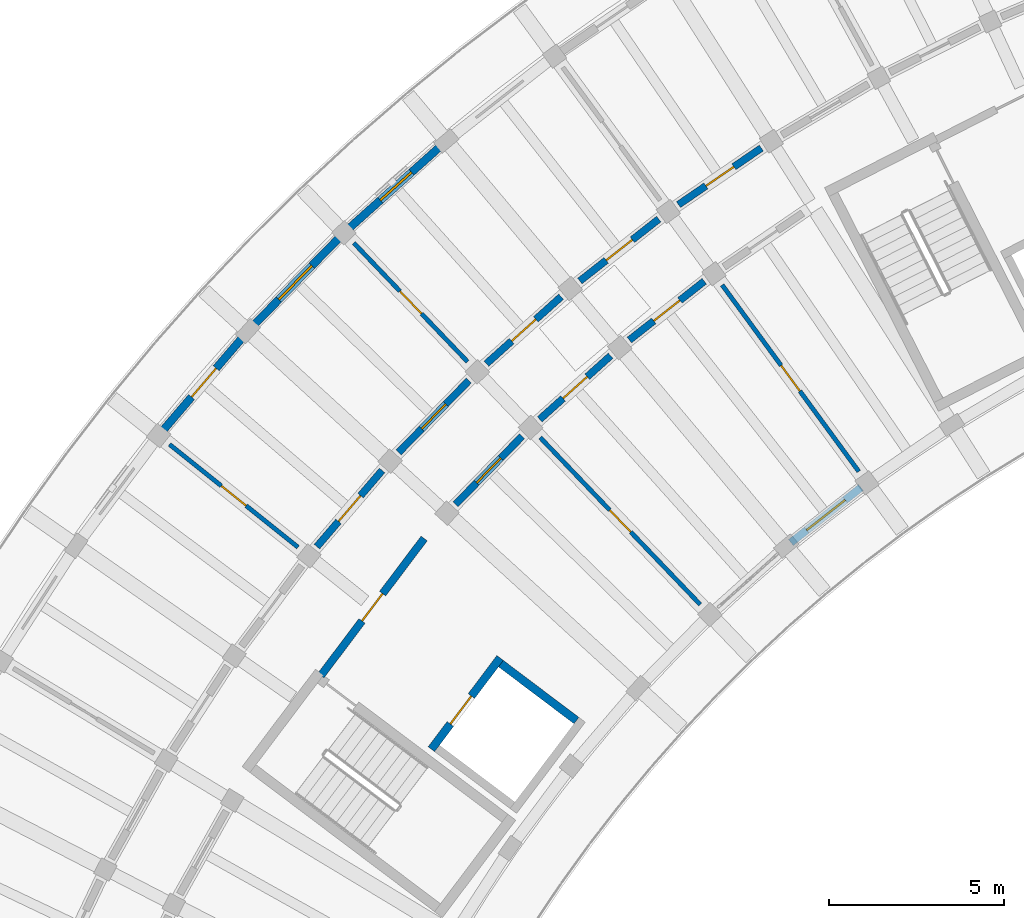
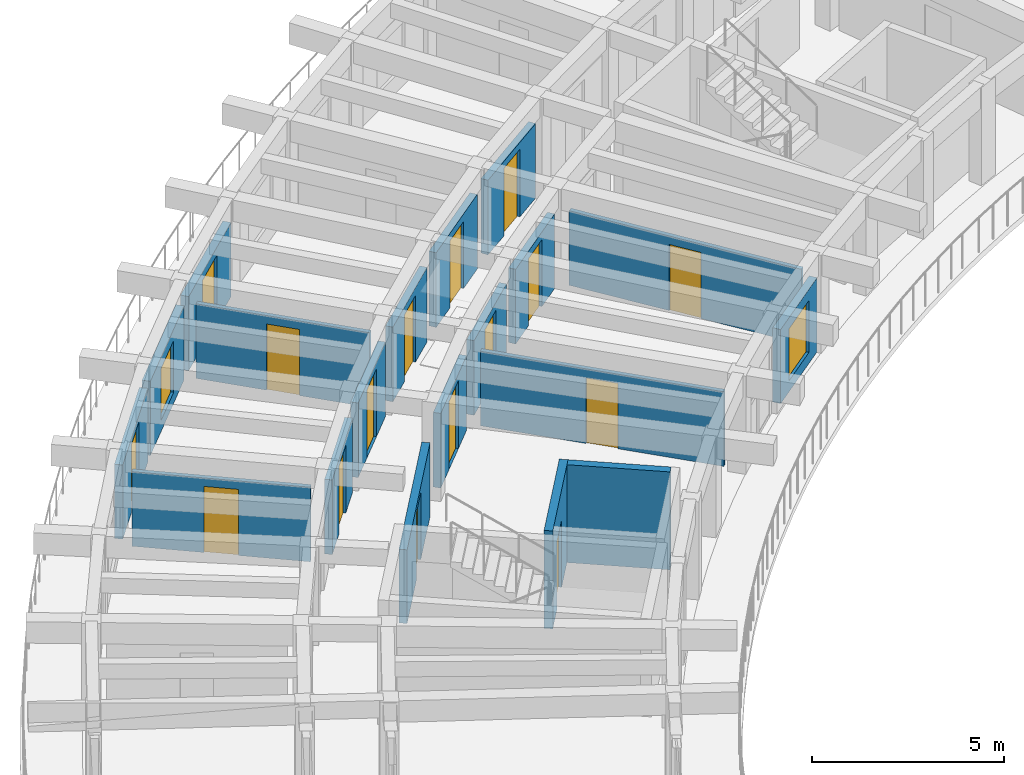
# One storey, part 20 of 41: 19 walls, 15 doors, 3 windows, 18 openings.
"""IFC4 building model written with IfcOpenShell, lengths in metres."""

from ifc_helpers import new_model, si_unit, direction, frame, frame_2d, origin, place, context, subcontext, project, spatial, rectangle, extrude, material, layer, layer_set, type_object, element, fill, save


model = new_model("IFC4")

# Units and contexts
model_context = context("Model", 3, precision=1e-05, world=origin(), true_north=direction((0.0, 1.0)))
body_context = subcontext(model_context, "Body", "Model", "MODEL_VIEW")
ifc_project = project(units=[si_unit("LENGTHUNIT", "METRE"), si_unit("AREAUNIT", "SQUARE_METRE"), si_unit("VOLUMEUNIT", "CUBIC_METRE"), si_unit("PLANEANGLEUNIT", "RADIAN"), si_unit("MASSUNIT", "GRAM", prefix="KILO")], contexts=[model_context])

# Site, building, storey
site_placement = place(None, origin())
site = spatial("IfcSite", under=ifc_project, at=site_placement, CompositionType="ELEMENT")
building_placement = place(site_placement, origin())
building = spatial("IfcBuilding", under=site, at=building_placement, Name="Tanwirah Colonnade Gardens", CompositionType="ELEMENT")
storey_placement = place(building_placement, frame((0.0, 0.0, 35.719970703125)))
storey = spatial("IfcBuildingStorey", under=building, at=storey_placement, Name="L10", CompositionType="ELEMENT", Elevation=35.719970703125)

# Wall, opening, window
ifc_material_1 = material(Name="Limestone architectural precast concrete C40/50", Category="masonry")
ifc_layer_1 = layer(ifc_material_1, 0.22509765625)
ifc_layer_set_1 = layer_set([ifc_layer_1], Name="Limestone architectural precast concrete C40/50")
wall_type_1 = type_object("IfcWallType", Name="EW-PC225", PredefinedType="SOLIDWALL", material=ifc_layer_set_1)
wall_1_placement = place(storey_placement, frame((38.560546875, 95.92333984375, 0.0), z_axis=(0.0, 0.0, 1.0), x_axis=(-0.786840630754, -0.617156237751, 0.0)))
wall_1 = element("IfcWall", 1, at=wall_1_placement, inside=storey, type_object=wall_type_1, Name="Block A L10 IN Precast Facade Wall 8", PredefinedType="SOLIDWALL", context=body_context, shape_type="SweptSolid", body=[
    extrude(rectangle(XDim=2.545166015625, YDim=0.22509765625, at=frame_2d((1.2724609375, 0.0))), origin(), (0.0, 0.0, 1.0), 2.35498046875),
])
opening_1_placement = place(wall_1_placement, frame((0.572509765625, 0.0, 0.35009765625)))
opening_1 = element("IfcOpeningElement", 2, at=opening_1_placement, cuts=wall_1, Name="Opening WIN-T06", PredefinedType="OPENING", context=body_context, shape_type="SweptSolid", body=[
    extrude(rectangle(XDim=1.39990234375, YDim=1.64990234375, at=frame_2d((0.699951171875, 0.824951171875))), frame((0.0, 0.12255859375, 0.0), z_axis=(0.0, -1.0, 0.0), x_axis=(1.0, 0.0, 0.0)), (0.0, 0.0, 1.0), 0.2451171875),
])
ifc_material_2 = material(Name="Thermally broken bronze aluminium and solar low-E double glazing", Category="aluminium")
window_type_1 = type_object("IfcWindowType", Name="WIN-T06", PartitioningType="DOUBLE_PANEL_VERTICAL", PredefinedType="WINDOW", material=ifc_material_2)
window_1_placement = place(opening_1_placement, origin())
window_1 = element("IfcWindow", 3, at=window_1_placement, inside=storey, type_object=window_type_1, Name="Facade window A-L10-IN-08", OverallHeight=1.64990234375, OverallWidth=1.39990234375, PartitioningType="SINGLE_PANEL", PredefinedType="WINDOW", context=body_context, shape_type="SweptSolid", body=[
    extrude(rectangle(XDim=1.39990234375, YDim=1.64990234375, at=frame_2d((0.699951171875, 0.824951171875))), frame((0.0, 0.030029296875, 0.0), z_axis=(0.0, -1.0, 0.0), x_axis=(1.0, 0.0, 0.0)), (0.0, 0.0, 1.0), 0.06005859375),
])
fill(opening_1, window_1)

wall_2_placement = place(storey_placement, frame((26.59912109375, 105.707763671875, 0.0), z_axis=(0.0, 0.0, 1.0), x_axis=(-0.744438243575, -0.667691322021, 0.0)))
wall_2 = element("IfcWall", 4, at=wall_2_placement, inside=storey, type_object=wall_type_1, Name="Block A L10 OUT Precast Facade Wall 9", PredefinedType="SOLIDWALL", context=body_context, shape_type="SweptSolid", body=[
    extrude(rectangle(XDim=3.54052734375, YDim=0.22509765625, at=frame_2d((1.770263671875, 0.0))), origin(), (0.0, 0.0, 1.0), 2.35498046875),
])
opening_2_placement = place(wall_2_placement, frame((1.17041015625, 0.0, 0.550048828125)))
opening_2 = element("IfcOpeningElement", 5, at=opening_2_placement, cuts=wall_2, Name="Opening WIN-T02", PredefinedType="OPENING", context=body_context, shape_type="SweptSolid", body=[
    extrude(rectangle(XDim=1.199951171875, YDim=1.550048828125, at=frame_2d((0.60009765625, 0.77490234375))), frame((0.0, 0.12255859375, 0.0), z_axis=(0.0, -1.0, 0.0), x_axis=(1.0, 0.0, 0.0)), (0.0, 0.0, 1.0), 0.2451171875),
])
window_type_2 = type_object("IfcWindowType", Name="WIN-T02", PartitioningType="SINGLE_PANEL", PredefinedType="WINDOW", material=ifc_material_2)
window_2_placement = place(opening_2_placement, origin())
window_2 = element("IfcWindow", 6, at=window_2_placement, inside=storey, type_object=window_type_2, Name="Facade window A-L10-OUT-09", OverallHeight=1.550048828125, OverallWidth=1.199951171875, PartitioningType="SINGLE_PANEL", PredefinedType="WINDOW", context=body_context, shape_type="SweptSolid", body=[
    extrude(rectangle(XDim=1.199951171875, YDim=1.550048828125, at=frame_2d((0.60009765625, 0.77490234375))), frame((0.0, 0.030029296875, 0.0), z_axis=(0.0, -1.0, 0.0), x_axis=(1.0, 0.0, 0.0)), (0.0, 0.0, 1.0), 0.06005859375),
])
fill(opening_2, window_2)

wall_3_placement = place(storey_placement, frame((23.645751953125, 103.03955078125, 0.0), z_axis=(0.0, 0.0, 1.0), x_axis=(-0.698819119584, -0.715298425906, 0.0)))
wall_3 = element("IfcWall", 7, at=wall_3_placement, inside=storey, type_object=wall_type_1, Name="Block A L10 OUT Precast Facade Wall 10", PredefinedType="SOLIDWALL", context=body_context, shape_type="SweptSolid", body=[
    extrude(rectangle(XDim=3.540771484375, YDim=0.22509765625, at=frame_2d((1.7705078125, 0.0))), origin(), (0.0, 0.0, 1.0), 2.35498046875),
])
opening_3_placement = place(wall_3_placement, frame((1.09521484375, 0.0, 0.35009765625)))
opening_3 = element("IfcOpeningElement", 8, at=opening_3_placement, cuts=wall_3, Name="Opening WIN-T05", PredefinedType="OPENING", context=body_context, shape_type="SweptSolid", body=[
    extrude(rectangle(XDim=1.35009765625, YDim=1.64990234375, at=frame_2d((0.675048828125, 0.824951171875))), frame((0.0, 0.12255859375, 0.0), z_axis=(0.0, -1.0, 0.0), x_axis=(1.0, 0.0, 0.0)), (0.0, 0.0, 1.0), 0.2451171875),
])
window_type_3 = type_object("IfcWindowType", Name="WIN-T05", PartitioningType="DOUBLE_PANEL_VERTICAL", PredefinedType="WINDOW", material=ifc_material_2)
window_3_placement = place(opening_3_placement, origin())
window_3 = element("IfcWindow", 9, at=window_3_placement, inside=storey, type_object=window_type_3, Name="Facade window A-L10-OUT-10", OverallHeight=1.64990234375, OverallWidth=1.35009765625, PartitioningType="SINGLE_PANEL", PredefinedType="WINDOW", context=body_context, shape_type="SweptSolid", body=[
    extrude(rectangle(XDim=1.35009765625, YDim=1.64990234375, at=frame_2d((0.675048828125, 0.824951171875))), frame((0.0, 0.030029296875, 0.0), z_axis=(0.0, -1.0, 0.0), x_axis=(1.0, 0.0, 0.0)), (0.0, 0.0, 1.0), 0.06005859375),
])
fill(opening_3, window_3)

# Wall, opening, door
wall_4_placement = place(storey_placement, frame((20.948974609375, 100.263427734375, 0.0), z_axis=(0.0, 0.0, 1.0), x_axis=(-0.650200638195, -0.759762548492, 0.0)))
wall_4 = element("IfcWall", 10, at=wall_4_placement, inside=storey, type_object=wall_type_1, Name="Block A L10 OUT Precast Facade Wall 11", PredefinedType="SOLIDWALL", context=body_context, shape_type="SweptSolid", body=[
    extrude(rectangle(XDim=3.540771484375, YDim=0.22509765625, at=frame_2d((1.7705078125, 0.0))), origin(), (0.0, 0.0, 1.0), 2.35498046875),
])
opening_4_placement = place(wall_4_placement, frame((1.23046875, 0.0, 0.0)))
opening_4 = element("IfcOpeningElement", 11, at=opening_4_placement, cuts=wall_4, Name="Opening L10-ED049", PredefinedType="OPENING", context=body_context, shape_type="SweptSolid", body=[
    extrude(rectangle(XDim=1.080078125, YDim=2.14990234375, at=frame_2d((0.5400390625, 1.074951171875))), frame((0.0, 0.12255859375, 0.0), z_axis=(0.0, -1.0, 0.0), x_axis=(1.0, 0.0, 0.0)), (0.0, 0.0, 1.0), 0.2451171875),
])
ifc_material_3 = material(Name="Bronze aluminium glazed balcony door", Category="aluminium")
door_type_1 = type_object("IfcDoorType", Name="ED-BAL108", OperationType="NOTDEFINED", PredefinedType="DOOR", material=ifc_material_3)
door_1_placement = place(opening_4_placement, origin())
door_1 = element("IfcDoor", 12, at=door_1_placement, inside=storey, type_object=door_type_1, Name="Balcony glazed door L10-ED049", OperationType="SINGLE_SWING_RIGHT", OverallHeight=2.14990234375, OverallWidth=1.080078125, PredefinedType="DOOR", context=body_context, shape_type="SweptSolid", body=[
    extrude(rectangle(XDim=1.080078125, YDim=2.14990234375, at=frame_2d((0.5400390625, 1.074951171875))), frame((0.0, 0.02490234375, 0.0), z_axis=(0.0, -1.0, 0.0), x_axis=(1.0, 0.0, 0.0)), (0.0, 0.0, 1.0), 0.050048828125),
])
fill(opening_4, door_1)

ifc_material_4 = material(Name="Precast concrete C40/50", Category="concrete")
ifc_layer_2 = layer(ifc_material_4, 0.205078125)
ifc_layer_set_2 = layer_set([ifc_layer_2], Name="Precast concrete C40/50")
wall_type_2 = type_object("IfcWallType", Name="IW-CORR205", PredefinedType="PARTITIONING", material=ifc_layer_set_2)
wall_5_placement = place(storey_placement, frame((35.714111328125, 105.615966796875, 0.0), z_axis=(0.0, 0.0, 1.0), x_axis=(-0.825779671787, -0.563992848947, 0.0)))
wall_5 = element("IfcWall", 13, at=wall_5_placement, inside=storey, type_object=wall_type_2, Name="Block A L10 OUT Corridor Wall 7", PredefinedType="PARTITIONING", context=body_context, shape_type="SweptSolid", body=[
    extrude(rectangle(XDim=2.863037109375, YDim=0.205078125, at=frame_2d((1.431640625, 0.0))), origin(), (0.0, 0.0, 1.0), 2.3701171875),
])
opening_5_placement = place(wall_5_placement, frame((0.946533203125, 0.0, 0.0)))
opening_5 = element("IfcOpeningElement", 14, at=opening_5_placement, cuts=wall_5, Name="Opening L10-AD648", PredefinedType="OPENING", context=body_context, shape_type="SweptSolid", body=[
    extrude(rectangle(XDim=0.969970703125, YDim=2.14990234375, at=frame_2d((0.48486328125, 1.074951171875))), frame((0.0, 0.112548828125, 0.0), z_axis=(0.0, -1.0, 0.0), x_axis=(1.0, 0.0, 0.0)), (0.0, 0.0, 1.0), 0.22509765625),
])
ifc_material_5 = material(Name="Solid oak fire-resisting apartment entrance door")
door_type_2 = type_object("IfcDoorType", Name="ID-FLT097", OperationType="NOTDEFINED", PredefinedType="DOOR", material=ifc_material_5)
door_2_placement = place(opening_5_placement, origin())
door_2 = element("IfcDoor", 15, at=door_2_placement, inside=storey, type_object=door_type_2, Name="Apartment corridor door L10-AD648", OperationType="SINGLE_SWING_RIGHT", OverallHeight=2.14990234375, OverallWidth=0.969970703125, PredefinedType="DOOR", context=body_context, shape_type="SweptSolid", body=[
    extrude(rectangle(XDim=0.969970703125, YDim=2.14990234375, at=frame_2d((0.48486328125, 1.074951171875))), frame((0.0, 0.02490234375, 0.0), z_axis=(0.0, -1.0, 0.0), x_axis=(1.0, 0.0, 0.0)), (0.0, 0.0, 1.0), 0.050048828125),
])
fill(opening_5, door_2)

wall_6_placement = place(storey_placement, frame((32.785400390625, 103.587890625, 0.0), z_axis=(0.0, 0.0, 1.0), x_axis=(-0.786806323554, -0.617199975061, 0.0)))
wall_6 = element("IfcWall", 16, at=wall_6_placement, inside=storey, type_object=wall_type_2, Name="Block A L10 OUT Corridor Wall 8", PredefinedType="PARTITIONING", context=body_context, shape_type="SweptSolid", body=[
    extrude(rectangle(XDim=2.863037109375, YDim=0.205078125, at=frame_2d((1.431640625, 0.0))), origin(), (0.0, 0.0, 1.0), 2.3701171875),
])
opening_6_placement = place(wall_6_placement, frame((0.95654296875, 0.0, 0.0)))
opening_6 = element("IfcOpeningElement", 17, at=opening_6_placement, cuts=wall_6, Name="Opening L10-AD652", PredefinedType="OPENING", context=body_context, shape_type="SweptSolid", body=[
    extrude(rectangle(XDim=0.949951171875, YDim=2.1298828125, at=frame_2d((0.47509765625, 1.06494140625))), frame((0.0, 0.112548828125, 0.0), z_axis=(0.0, -1.0, 0.0), x_axis=(1.0, 0.0, 0.0)), (0.0, 0.0, 1.0), 0.22509765625),
])
door_type_3 = type_object("IfcDoorType", Name="ID-FLT095", OperationType="NOTDEFINED", PredefinedType="DOOR", material=ifc_material_5)
door_3_placement = place(opening_6_placement, origin())
door_3 = element("IfcDoor", 18, at=door_3_placement, inside=storey, type_object=door_type_3, Name="Apartment corridor door L10-AD652", OperationType="SINGLE_SWING_LEFT", OverallHeight=2.1298828125, OverallWidth=0.949951171875, PredefinedType="DOOR", context=body_context, shape_type="SweptSolid", body=[
    extrude(rectangle(XDim=0.949951171875, YDim=2.1298828125, at=frame_2d((0.47509765625, 1.06494140625))), frame((0.0, 0.02490234375, 0.0), z_axis=(0.0, -1.0, 0.0), x_axis=(1.0, 0.0, 0.0)), (0.0, 0.0, 1.0), 0.050048828125),
])
fill(opening_6, door_3)

wall_7_placement = place(storey_placement, frame((34.08544921875, 101.81298828125, 0.0), z_axis=(0.0, 0.0, 1.0), x_axis=(-0.786835457019, -0.617162833924, 0.0)))
wall_7 = element("IfcWall", 19, at=wall_7_placement, inside=storey, type_object=wall_type_2, Name="Block A L10 IN Corridor Wall 8", PredefinedType="PARTITIONING", context=body_context, shape_type="SweptSolid", body=[
    extrude(rectangle(XDim=2.718017578125, YDim=0.205078125, at=frame_2d((1.35888671875, 0.0))), origin(), (0.0, 0.0, 1.0), 2.3701171875),
])
opening_7_placement = place(wall_7_placement, frame((0.884033203125, 0.0, 0.0)))
opening_7 = element("IfcOpeningElement", 20, at=opening_7_placement, cuts=wall_7, Name="Opening L10-AD653", PredefinedType="OPENING", context=body_context, shape_type="SweptSolid", body=[
    extrude(rectangle(XDim=0.949951171875, YDim=2.1298828125, at=frame_2d((0.47509765625, 1.06494140625))), frame((0.0, 0.112548828125, 0.0), z_axis=(0.0, -1.0, 0.0), x_axis=(1.0, 0.0, 0.0)), (0.0, 0.0, 1.0), 0.22509765625),
])
door_4_placement = place(opening_7_placement, origin())
door_4 = element("IfcDoor", 21, at=door_4_placement, inside=storey, type_object=door_type_3, Name="Apartment corridor door L10-AD653", OperationType="SINGLE_SWING_RIGHT", OverallHeight=2.1298828125, OverallWidth=0.949951171875, PredefinedType="DOOR", context=body_context, shape_type="SweptSolid", body=[
    extrude(rectangle(XDim=0.949951171875, YDim=2.1298828125, at=frame_2d((0.47509765625, 1.06494140625))), frame((0.0, 0.02490234375, 0.0), z_axis=(0.0, -1.0, 0.0), x_axis=(1.0, 0.0, 0.0)), (0.0, 0.0, 1.0), 0.050048828125),
])
fill(opening_7, door_4)

wall_8_placement = place(storey_placement, frame((29.996826171875, 101.37109375, 0.0), z_axis=(0.0, 0.0, 1.0), x_axis=(-0.744433521088, -0.667696587291, 0.0)))
wall_8 = element("IfcWall", 22, at=wall_8_placement, inside=storey, type_object=wall_type_2, Name="Block A L10 OUT Corridor Wall 9", PredefinedType="PARTITIONING", context=body_context, shape_type="SweptSolid", body=[
    extrude(rectangle(XDim=2.86328125, YDim=0.205078125, at=frame_2d((1.431640625, 0.0))), origin(), (0.0, 0.0, 1.0), 2.3701171875),
])
opening_8_placement = place(wall_8_placement, frame((0.966552734375, 0.0, 0.0)))
opening_8 = element("IfcOpeningElement", 23, at=opening_8_placement, cuts=wall_8, Name="Opening L10-AD654", PredefinedType="OPENING", context=body_context, shape_type="SweptSolid", body=[
    extrude(rectangle(XDim=0.929931640625, YDim=2.1201171875, at=frame_2d((0.46484375, 1.06005859375))), frame((0.0, 0.112548828125, 0.0), z_axis=(0.0, -1.0, 0.0), x_axis=(1.0, 0.0, 0.0)), (0.0, 0.0, 1.0), 0.22509765625),
])
door_type_4 = type_object("IfcDoorType", Name="ID-FLT093", OperationType="NOTDEFINED", PredefinedType="DOOR", material=ifc_material_5)
door_5_placement = place(opening_8_placement, origin())
door_5 = element("IfcDoor", 24, at=door_5_placement, inside=storey, type_object=door_type_4, Name="Apartment corridor door L10-AD654", OperationType="SINGLE_SWING_RIGHT", OverallHeight=2.1201171875, OverallWidth=0.929931640625, PredefinedType="DOOR", context=body_context, shape_type="SweptSolid", body=[
    extrude(rectangle(XDim=0.929931640625, YDim=2.1201171875, at=frame_2d((0.46484375, 1.06005859375))), frame((0.0, 0.02490234375, 0.0), z_axis=(0.0, -1.0, 0.0), x_axis=(1.0, 0.0, 0.0)), (0.0, 0.0, 1.0), 0.050048828125),
])
fill(opening_8, door_5)

wall_9_placement = place(storey_placement, frame((31.410888671875, 99.685791015625, 0.0), z_axis=(0.0, 0.0, 1.0), x_axis=(-0.744418559135, -0.667713268413, 0.0)))
wall_9 = element("IfcWall", 25, at=wall_9_placement, inside=storey, type_object=wall_type_2, Name="Block A L10 IN Corridor Wall 9", PredefinedType="PARTITIONING", context=body_context, shape_type="SweptSolid", body=[
    extrude(rectangle(XDim=2.71826171875, YDim=0.205078125, at=frame_2d((1.359130859375, 0.0))), origin(), (0.0, 0.0, 1.0), 2.3701171875),
])
opening_9_placement = place(wall_9_placement, frame((0.89404296875, 0.0, 0.0)))
opening_9 = element("IfcOpeningElement", 26, at=opening_9_placement, cuts=wall_9, Name="Opening L10-AD655", PredefinedType="OPENING", context=body_context, shape_type="SweptSolid", body=[
    extrude(rectangle(XDim=0.929931640625, YDim=2.1201171875, at=frame_2d((0.46484375, 1.06005859375))), frame((0.0, 0.112548828125, 0.0), z_axis=(0.0, -1.0, 0.0), x_axis=(1.0, 0.0, 0.0)), (0.0, 0.0, 1.0), 0.22509765625),
])
door_6_placement = place(opening_9_placement, origin())
door_6 = element("IfcDoor", 27, at=door_6_placement, inside=storey, type_object=door_type_4, Name="Apartment corridor door L10-AD655", OperationType="SINGLE_SWING_LEFT", OverallHeight=2.1201171875, OverallWidth=0.929931640625, PredefinedType="DOOR", context=body_context, shape_type="SweptSolid", body=[
    extrude(rectangle(XDim=0.929931640625, YDim=2.1201171875, at=frame_2d((0.46484375, 1.06005859375))), frame((0.0, 0.02490234375, 0.0), z_axis=(0.0, -1.0, 0.0), x_axis=(1.0, 0.0, 0.0)), (0.0, 0.0, 1.0), 0.050048828125),
])
fill(opening_9, door_6)

wall_10_placement = place(storey_placement, frame((27.360107421875, 98.975341796875, 0.0), z_axis=(0.0, 0.0, 1.0), x_axis=(-0.698787219683, -0.715329589496, 0.0)))
wall_10 = element("IfcWall", 28, at=wall_10_placement, inside=storey, type_object=wall_type_2, Name="Block A L10 OUT Corridor Wall 10", PredefinedType="PARTITIONING", context=body_context, shape_type="SweptSolid", body=[
    extrude(rectangle(XDim=2.863037109375, YDim=0.205078125, at=frame_2d((1.431640625, 0.0))), origin(), (0.0, 0.0, 1.0), 2.3701171875),
])
opening_10_placement = place(wall_10_placement, frame((0.9365234375, 0.0, 0.0)))
opening_10 = element("IfcOpeningElement", 29, at=opening_10_placement, cuts=wall_10, Name="Opening L10-AD658", PredefinedType="OPENING", context=body_context, shape_type="SweptSolid", body=[
    extrude(rectangle(XDim=0.989990234375, YDim=2.159912109375, at=frame_2d((0.4951171875, 1.080078125))), frame((0.0, 0.112548828125, 0.0), z_axis=(0.0, -1.0, 0.0), x_axis=(1.0, 0.0, 0.0)), (0.0, 0.0, 1.0), 0.22509765625),
])
door_type_5 = type_object("IfcDoorType", Name="ID-FLT099", OperationType="NOTDEFINED", PredefinedType="DOOR", material=ifc_material_5)
door_7_placement = place(opening_10_placement, origin())
door_7 = element("IfcDoor", 30, at=door_7_placement, inside=storey, type_object=door_type_5, Name="Apartment corridor door L10-AD658", OperationType="SINGLE_SWING_LEFT", OverallHeight=2.159912109375, OverallWidth=0.989990234375, PredefinedType="DOOR", context=body_context, shape_type="SweptSolid", body=[
    extrude(rectangle(XDim=0.989990234375, YDim=2.159912109375, at=frame_2d((0.4951171875, 1.080078125))), frame((0.0, 0.02490234375, 0.0), z_axis=(0.0, -1.0, 0.0), x_axis=(1.0, 0.0, 0.0)), (0.0, 0.0, 1.0), 0.050048828125),
])
fill(opening_10, door_7)

wall_11_placement = place(storey_placement, frame((28.88232421875, 97.38671875, 0.0), z_axis=(0.0, 0.0, 1.0), x_axis=(-0.698840007829, -0.715278018296, 0.0)))
wall_11 = element("IfcWall", 31, at=wall_11_placement, inside=storey, type_object=wall_type_2, Name="Block A L10 IN Corridor Wall 10", PredefinedType="PARTITIONING", context=body_context, shape_type="SweptSolid", body=[
    extrude(rectangle(XDim=2.718017578125, YDim=0.205078125, at=frame_2d((1.35888671875, 0.0))), origin(), (0.0, 0.0, 1.0), 2.3701171875),
])
opening_11_placement = place(wall_11_placement, frame((0.864013671875, 0.0, 0.0)))
opening_11 = element("IfcOpeningElement", 32, at=opening_11_placement, cuts=wall_11, Name="Opening L10-AD659", PredefinedType="OPENING", context=body_context, shape_type="SweptSolid", body=[
    extrude(rectangle(XDim=0.989990234375, YDim=2.159912109375, at=frame_2d((0.4951171875, 1.080078125))), frame((0.0, 0.112548828125, 0.0), z_axis=(0.0, -1.0, 0.0), x_axis=(1.0, 0.0, 0.0)), (0.0, 0.0, 1.0), 0.22509765625),
])
door_8_placement = place(opening_11_placement, origin())
door_8 = element("IfcDoor", 33, at=door_8_placement, inside=storey, type_object=door_type_5, Name="Apartment corridor door L10-AD659", OperationType="SINGLE_SWING_RIGHT", OverallHeight=2.159912109375, OverallWidth=0.989990234375, PredefinedType="DOOR", context=body_context, shape_type="SweptSolid", body=[
    extrude(rectangle(XDim=0.989990234375, YDim=2.159912109375, at=frame_2d((0.4951171875, 1.080078125))), frame((0.0, 0.02490234375, 0.0), z_axis=(0.0, -1.0, 0.0), x_axis=(1.0, 0.0, 0.0)), (0.0, 0.0, 1.0), 0.050048828125),
])
fill(opening_11, door_8)

wall_12_placement = place(storey_placement, frame((24.88720703125, 96.4111328125, 0.0), z_axis=(0.0, 0.0, 1.0), x_axis=(-0.650194272684, -0.759767996015, 0.0)))
wall_12 = element("IfcWall", 34, at=wall_12_placement, inside=storey, type_object=wall_type_2, Name="Block A L10 OUT Corridor Wall 11", PredefinedType="PARTITIONING", context=body_context, shape_type="SweptSolid", body=[
    extrude(rectangle(XDim=2.863037109375, YDim=0.205078125, at=frame_2d((1.431640625, 0.0))), origin(), (0.0, 0.0, 1.0), 2.3701171875),
])
opening_12_placement = place(wall_12_placement, frame((0.946533203125, 0.0, 0.0)))
opening_12 = element("IfcOpeningElement", 35, at=opening_12_placement, cuts=wall_12, Name="Opening L10-AD660", PredefinedType="OPENING", context=body_context, shape_type="SweptSolid", body=[
    extrude(rectangle(XDim=0.969970703125, YDim=2.14990234375, at=frame_2d((0.48486328125, 1.074951171875))), frame((0.0, 0.112548828125, 0.0), z_axis=(0.0, -1.0, 0.0), x_axis=(1.0, 0.0, 0.0)), (0.0, 0.0, 1.0), 0.22509765625),
])
door_9_placement = place(opening_12_placement, origin())
door_9 = element("IfcDoor", 36, at=door_9_placement, inside=storey, type_object=door_type_2, Name="Apartment corridor door L10-AD660", OperationType="SINGLE_SWING_RIGHT", OverallHeight=2.14990234375, OverallWidth=0.969970703125, PredefinedType="DOOR", context=body_context, shape_type="SweptSolid", body=[
    extrude(rectangle(XDim=0.969970703125, YDim=2.14990234375, at=frame_2d((0.48486328125, 1.074951171875))), frame((0.0, 0.02490234375, 0.0), z_axis=(0.0, -1.0, 0.0), x_axis=(1.0, 0.0, 0.0)), (0.0, 0.0, 1.0), 0.050048828125),
])
fill(opening_12, door_9)

ifc_material_6 = material(Name="Autoclaved aerated masonry blockwork", Category="masonry")
ifc_layer_3 = layer(ifc_material_6, 0.219970703125)
ifc_layer_set_3 = layer_set([ifc_layer_3], Name="Autoclaved aerated masonry blockwork")
wall_type_3 = type_object("IfcWallType", Name="IW-FFL220", PredefinedType="PARTITIONING", material=ifc_layer_set_3)
wall_13_placement = place(storey_placement, frame((23.138916015625, 90.55517578125, 0.0), z_axis=(0.0, 0.0, 1.0), x_axis=(0.601792209296, 0.79865270101, 0.0)))
wall_13 = element("IfcWall", 37, at=wall_13_placement, inside=storey, type_object=wall_type_3, Name="CORE-A2 L10 Enclosed Lobby Fire Wall", PredefinedType="PARTITIONING", context=body_context, shape_type="SweptSolid", body=[
    extrude(rectangle(XDim=4.89990234375, YDim=0.219970703125, at=frame_2d((2.449951171875, 0.0))), origin(), (0.0, 0.0, 1.0), 2.340087890625),
])
opening_13_placement = place(wall_13_placement, frame((1.949951171875, 0.0, 0.0)))
opening_13 = element("IfcOpeningElement", 38, at=opening_13_placement, cuts=wall_13, Name="Opening L10-LD060", PredefinedType="OPENING", context=body_context, shape_type="SweptSolid", body=[
    extrude(rectangle(XDim=0.97998046875, YDim=2.139892578125, at=frame_2d((0.489990234375, 1.06982421875))), frame((0.0, 0.119873046875, 0.0), z_axis=(0.0, -1.0, 0.0), x_axis=(1.0, 0.0, 0.0)), (0.0, 0.0, 1.0), 0.239990234375),
])
ifc_material_7 = material(Name="Acoustic fire-resisting lobby door")
door_type_6 = type_object("IfcDoorType", Name="ID-FFL098", OperationType="NOTDEFINED", PredefinedType="DOOR", material=ifc_material_7)
door_10_placement = place(opening_13_placement, origin())
door_10 = element("IfcDoor", 39, at=door_10_placement, inside=storey, type_object=door_type_6, Name="CORE-A2 L10 Lobby Fire Door L10-LD060", OperationType="SINGLE_SWING_LEFT", OverallHeight=2.139892578125, OverallWidth=0.97998046875, PredefinedType="DOOR", context=body_context, shape_type="SweptSolid", body=[
    extrude(rectangle(XDim=0.97998046875, YDim=2.139892578125, at=frame_2d((0.489990234375, 1.06982421875))), frame((0.0, 0.02490234375, 0.0), z_axis=(0.0, -1.0, 0.0), x_axis=(1.0, 0.0, 0.0)), (0.0, 0.0, 1.0), 0.050048828125),
])
fill(opening_13, door_10)

ifc_material_8 = material(Name="Moisture-resistant gypsum stud partition")
ifc_layer_4 = layer(ifc_material_8, 0.125)
ifc_layer_set_4 = layer_set([ifc_layer_4], Name="Moisture-resistant gypsum stud partition")
wall_type_4 = type_object("IfcWallType", Name="IW-INT125", PredefinedType="PARTITIONING", material=ifc_layer_set_4)
wall_14_placement = place(storey_placement, frame((38.497314453125, 96.3818359375, 0.0), z_axis=(0.0, 0.0, 1.0), x_axis=(-0.590924179316, 0.806727100263, 0.0)))
wall_14 = element("IfcWall", 40, at=wall_14_placement, inside=storey, type_object=wall_type_4, Name="Block A L10 Inner Radial Partition 7", PredefinedType="PARTITIONING", context=body_context, shape_type="SweptSolid", body=[
    extrude(rectangle(XDim=6.60009765625, YDim=0.125, at=frame_2d((3.300048828125, 0.0))), origin(), (0.0, 0.0, 1.0), 2.3701171875),
])
opening_14_placement = place(wall_14_placement, frame((2.844970703125, 0.0, 0.0)))
opening_14 = element("IfcOpeningElement", 41, at=opening_14_placement, cuts=wall_14, Name="Opening L10-RD651", PredefinedType="OPENING", context=body_context, shape_type="SweptSolid", body=[
    extrude(rectangle(XDim=0.909912109375, YDim=2.10009765625, at=frame_2d((0.455078125, 1.050048828125))), frame((0.0, 0.072509765625, 0.0), z_axis=(0.0, -1.0, 0.0), x_axis=(1.0, 0.0, 0.0)), (0.0, 0.0, 1.0), 0.14501953125),
])
ifc_material_9 = material(Name="Painted hardwood internal room door", Category="wood")
door_type_7 = type_object("IfcDoorType", Name="ID-RM091", OperationType="NOTDEFINED", PredefinedType="DOOR", material=ifc_material_9)
door_11_placement = place(opening_14_placement, origin())
door_11 = element("IfcDoor", 42, at=door_11_placement, inside=storey, type_object=door_type_7, Name="Internal apartment door L10-RD651", OperationType="SINGLE_SWING_LEFT", OverallHeight=2.10009765625, OverallWidth=0.909912109375, PredefinedType="DOOR", context=body_context, shape_type="SweptSolid", body=[
    extrude(rectangle(XDim=0.909912109375, YDim=2.10009765625, at=frame_2d((0.455078125, 1.050048828125))), frame((0.0, 0.02490234375, 0.0), z_axis=(0.0, -1.0, 0.0), x_axis=(1.0, 0.0, 0.0)), (0.0, 0.0, 1.0), 0.050048828125),
])
fill(opening_14, door_11)

wall_15_placement = place(storey_placement, frame((27.328125, 99.514404296875, 0.0), z_axis=(0.0, 0.0, 1.0), x_axis=(-0.691882799356, 0.722009828157, 0.0)))
wall_15 = element("IfcWall", 43, at=wall_15_placement, inside=storey, type_object=wall_type_4, Name="Block A L10 Radial Partition 9", PredefinedType="PARTITIONING", context=body_context, shape_type="SweptSolid", body=[
    extrude(rectangle(XDim=4.7001953125, YDim=0.125, at=frame_2d((2.35009765625, 0.0))), origin(), (0.0, 0.0, 1.0), 2.3701171875),
])
opening_15_placement = place(wall_15_placement, frame((1.905029296875, 0.0, 0.0)))
opening_15 = element("IfcOpeningElement", 44, at=opening_15_placement, cuts=wall_15, Name="Opening L10-RD656", PredefinedType="OPENING", context=body_context, shape_type="SweptSolid", body=[
    extrude(rectangle(XDim=0.889892578125, YDim=2.10009765625, at=frame_2d((0.44482421875, 1.050048828125))), frame((0.0, 0.072509765625, 0.0), z_axis=(0.0, -1.0, 0.0), x_axis=(1.0, 0.0, 0.0)), (0.0, 0.0, 1.0), 0.14501953125),
])
ifc_material_10 = material(Name="Painted hardwood bedroom door", Category="wood")
door_type_8 = type_object("IfcDoorType", Name="ID-RM089", OperationType="NOTDEFINED", PredefinedType="DOOR", material=ifc_material_10)
door_12_placement = place(opening_15_placement, origin())
door_12 = element("IfcDoor", 45, at=door_12_placement, inside=storey, type_object=door_type_8, Name="Internal apartment door L10-RD656", OperationType="SINGLE_SWING_RIGHT", OverallHeight=2.10009765625, OverallWidth=0.889892578125, PredefinedType="DOOR", context=body_context, shape_type="SweptSolid", body=[
    extrude(rectangle(XDim=0.889892578125, YDim=2.10009765625, at=frame_2d((0.44482421875, 1.050048828125))), frame((0.0, 0.02490234375, 0.0), z_axis=(0.0, -1.0, 0.0), x_axis=(1.0, 0.0, 0.0)), (0.0, 0.0, 1.0), 0.050048828125),
])
fill(opening_15, door_12)

wall_16_placement = place(storey_placement, frame((33.969970703125, 92.5830078125, 0.0), z_axis=(0.0, 0.0, 1.0), x_axis=(-0.691872422458, 0.722019771919, 0.0)))
wall_16 = element("IfcWall", 46, at=wall_16_placement, inside=storey, type_object=wall_type_4, Name="Block A L10 Inner Radial Partition 9", PredefinedType="PARTITIONING", context=body_context, shape_type="SweptSolid", body=[
    extrude(rectangle(XDim=6.60009765625, YDim=0.125, at=frame_2d((3.300048828125, 0.0))), origin(), (0.0, 0.0, 1.0), 2.3701171875),
])
opening_16_placement = place(wall_16_placement, frame((2.864990234375, 0.0, 0.0)))
opening_16 = element("IfcOpeningElement", 47, at=opening_16_placement, cuts=wall_16, Name="Opening L10-RD657", PredefinedType="OPENING", context=body_context, shape_type="SweptSolid", body=[
    extrude(rectangle(XDim=0.8701171875, YDim=2.080078125, at=frame_2d((0.43505859375, 1.0400390625))), frame((0.0, 0.072509765625, 0.0), z_axis=(0.0, -1.0, 0.0), x_axis=(1.0, 0.0, 0.0)), (0.0, 0.0, 1.0), 0.14501953125),
])
ifc_material_11 = material(Name="Painted hardwood study door", Category="wood")
door_type_9 = type_object("IfcDoorType", Name="ID-RM087", OperationType="NOTDEFINED", PredefinedType="DOOR", material=ifc_material_11)
door_13_placement = place(opening_16_placement, origin())
door_13 = element("IfcDoor", 48, at=door_13_placement, inside=storey, type_object=door_type_9, Name="Internal apartment door L10-RD657", OperationType="SINGLE_SWING_LEFT", OverallHeight=2.080078125, OverallWidth=0.8701171875, PredefinedType="DOOR", context=body_context, shape_type="SweptSolid", body=[
    extrude(rectangle(XDim=0.8701171875, YDim=2.080078125, at=frame_2d((0.43505859375, 1.0400390625))), frame((0.0, 0.02490234375, 0.0), z_axis=(0.0, -1.0, 0.0), x_axis=(1.0, 0.0, 0.0)), (0.0, 0.0, 1.0), 0.050048828125),
])
fill(opening_16, door_13)

wall_17_placement = place(storey_placement, frame((22.48583984375, 94.2197265625, 0.0), z_axis=(0.0, 0.0, 1.0), x_axis=(-0.780807994362, 0.624771058821, 0.0)))
wall_17 = element("IfcWall", 49, at=wall_17_placement, inside=storey, type_object=wall_type_4, Name="Block A L10 Radial Partition 11", PredefinedType="PARTITIONING", context=body_context, shape_type="SweptSolid", body=[
    extrude(rectangle(XDim=4.7001953125, YDim=0.125, at=frame_2d((2.35009765625, 0.0))), origin(), (0.0, 0.0, 1.0), 2.3701171875),
])
opening_17_placement = place(wall_17_placement, frame((1.89501953125, 0.0, 0.0)))
opening_17 = element("IfcOpeningElement", 50, at=opening_17_placement, cuts=wall_17, Name="Opening L10-RD661", PredefinedType="OPENING", context=body_context, shape_type="SweptSolid", body=[
    extrude(rectangle(XDim=0.909912109375, YDim=2.10009765625, at=frame_2d((0.455078125, 1.050048828125))), frame((0.0, 0.072509765625, 0.0), z_axis=(0.0, -1.0, 0.0), x_axis=(1.0, 0.0, 0.0)), (0.0, 0.0, 1.0), 0.14501953125),
])
door_14_placement = place(opening_17_placement, origin())
door_14 = element("IfcDoor", 51, at=door_14_placement, inside=storey, type_object=door_type_7, Name="Internal apartment door L10-RD661", OperationType="SINGLE_SWING_RIGHT", OverallHeight=2.10009765625, OverallWidth=0.909912109375, PredefinedType="DOOR", context=body_context, shape_type="SweptSolid", body=[
    extrude(rectangle(XDim=0.909912109375, YDim=2.10009765625, at=frame_2d((0.455078125, 1.050048828125))), frame((0.0, 0.02490234375, 0.0), z_axis=(0.0, -1.0, 0.0), x_axis=(1.0, 0.0, 0.0)), (0.0, 0.0, 1.0), 0.050048828125),
])
fill(opening_17, door_14)

ifc_material_12 = material(Name="Concrete C45/55", Category="concrete")
ifc_layer_5 = layer(ifc_material_12, 0.22998046875)
ifc_layer_set_5 = layer_set([ifc_layer_5], Name="Concrete C45/55")
wall_type_5 = type_object("IfcWallType", Name="SW-LIFT230", PredefinedType="SHEAR", material=ifc_layer_set_5)
wall_18_placement = place(storey_placement, frame((26.2939453125, 88.452880859375, 0.0), z_axis=(0.0, 0.0, 1.0), x_axis=(0.601819781152, 0.798631924615, 0.0)))
wall_18 = element("IfcWall", 52, at=wall_18_placement, inside=storey, type_object=wall_type_5, Name="CORE-A2 L10 Lift Shaft Wall FRONT", PredefinedType="SHEAR", context=body_context, shape_type="SweptSolid", body=[
    extrude(rectangle(XDim=3.260009765625, YDim=0.22998046875, at=frame_2d((1.6298828125, 0.0))), origin(), (0.0, 0.0, 1.0), 3.110107421875),
])
opening_18_placement = place(wall_18_placement, frame((0.89990234375, 0.0, 0.0)))
opening_18 = element("IfcOpeningElement", 53, at=opening_18_placement, cuts=wall_18, Name="Opening L10-LD-PL-A2", PredefinedType="OPENING", context=body_context, shape_type="SweptSolid", body=[
    extrude(rectangle(XDim=1.0, YDim=2.14990234375, at=frame_2d((0.5, 1.074951171875))), frame((0.0, 0.125, 0.0), z_axis=(0.0, -1.0, 0.0), x_axis=(1.0, 0.0, 0.0)), (0.0, 0.0, 1.0), 0.25),
])
ifc_material_13 = material(Name="Bronze stainless steel sliding lift landing door", Category="steel")
door_type_10 = type_object("IfcDoorType", Name="LD-PS10", OperationType="DOUBLE_DOOR_SLIDING", PredefinedType="DOOR", material=ifc_material_13)
door_15_placement = place(opening_18_placement, origin())
door_15 = element("IfcDoor", 54, at=door_15_placement, inside=storey, type_object=door_type_10, Name="Lift PL-A2 L10 Sliding Landing Door", OperationType="DOUBLE_DOOR_SLIDING", OverallHeight=2.14990234375, OverallWidth=1.0, PredefinedType="DOOR", context=body_context, shape_type="SweptSolid", body=[
    extrude(rectangle(XDim=1.0, YDim=2.14990234375, at=frame_2d((0.5, 1.074951171875))), frame((0.0, 0.02490234375, 0.0), z_axis=(0.0, -1.0, 0.0), x_axis=(1.0, 0.0, 0.0)), (0.0, 0.0, 1.0), 0.050048828125),
])
fill(opening_18, door_15)

# Wall
wall_19_placement = place(storey_placement, frame((28.278564453125, 90.8955078125, 0.0), z_axis=(0.0, 0.0, 1.0), x_axis=(0.798608971494, -0.601850239387, 0.0)))
element("IfcWall", 55, at=wall_19_placement, inside=storey, type_object=wall_type_5, Name="CORE-A2 L10 Lift Shaft Wall SIDEB", PredefinedType="SHEAR", context=body_context, shape_type="SweptSolid", body=[
    extrude(rectangle(XDim=2.699951171875, YDim=0.22998046875, at=frame_2d((1.35009765625, 0.0))), origin(), (0.0, 0.0, 1.0), 3.110107421875),
])

save(model, "model.ifc")
